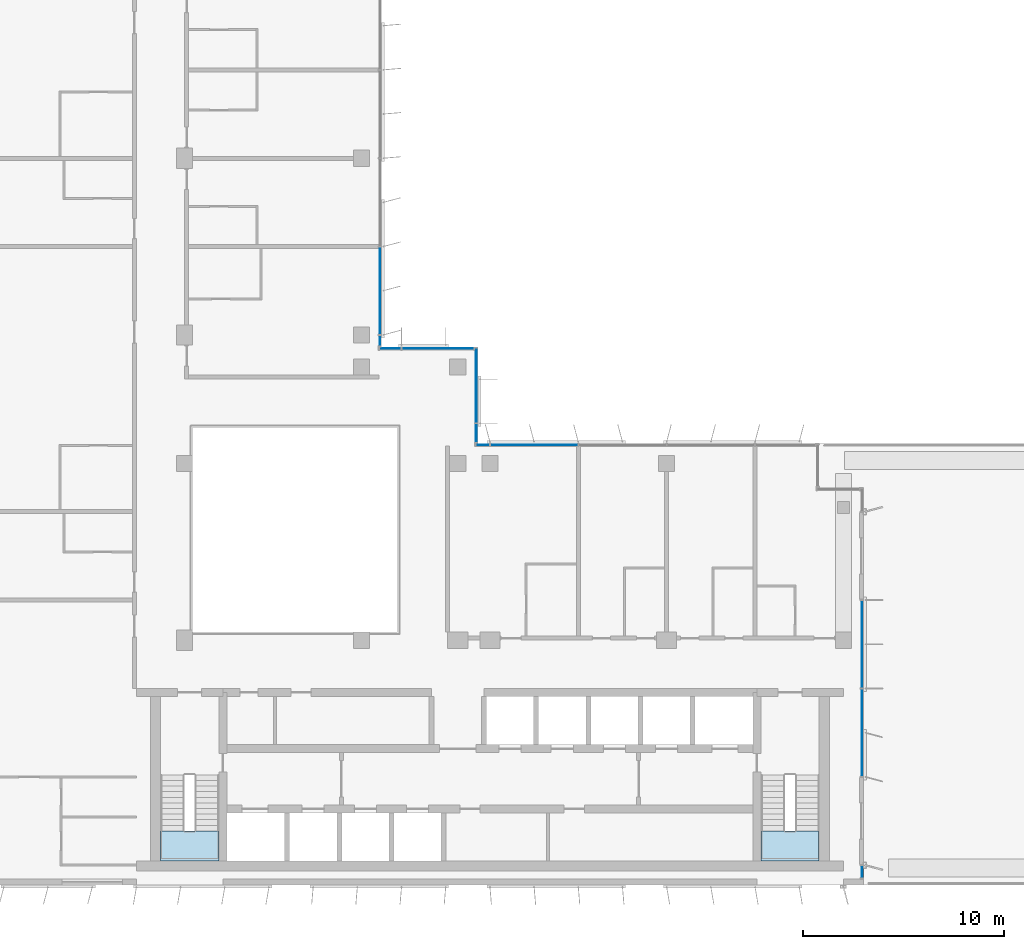
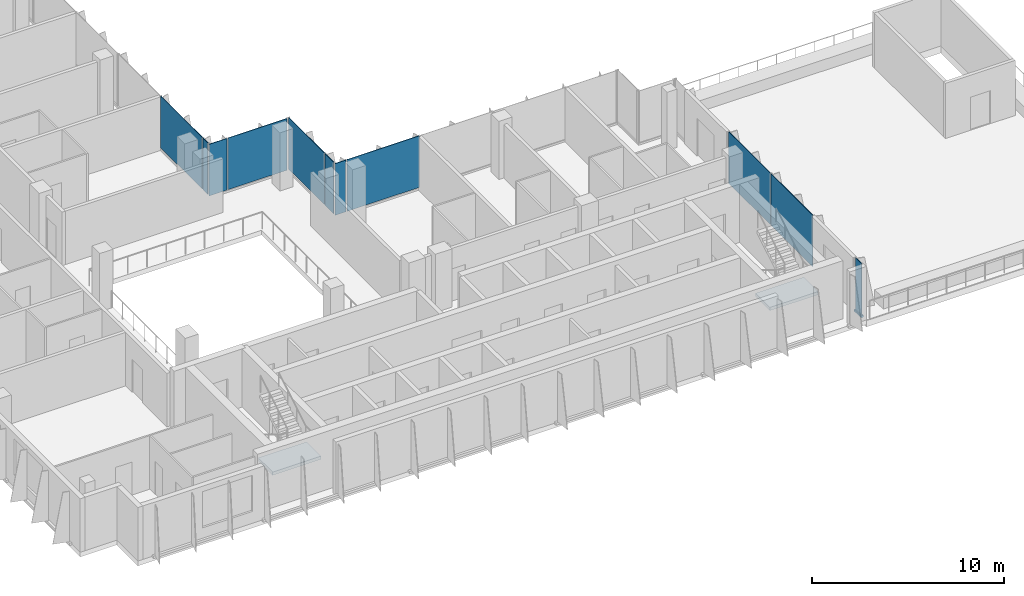
# One storey, part 7 of 17: 11 plates, 2 slabs, 1 member, 8 elements without a shape of their own.
"""IFC4 building model written with IfcOpenShell, lengths in metres."""

from ifc_helpers import new_model, si_unit, direction, frame, origin, origin_2d, place, context, subcontext, project, spatial, polyline, rectangle, outline, extrude, source, transform, mapped, material, layer, layer_set, material_profile, profile_set, type_object, element, aggregate, save


model = new_model("IFC4")

# Units and contexts
model_context = context("Model", 3, precision=1e-05, world=origin(), true_north=direction((0.0, 1.0)))
body_context = subcontext(model_context, "Body", "Model", "MODEL_VIEW")
ifc_project = project(units=[si_unit("LENGTHUNIT", "METRE"), si_unit("AREAUNIT", "SQUARE_METRE"), si_unit("VOLUMEUNIT", "CUBIC_METRE"), si_unit("PLANEANGLEUNIT", "RADIAN"), si_unit("MASSUNIT", "GRAM", prefix="KILO")], contexts=[model_context])

# Site, building, storey
site_placement = place(None, origin())
site = spatial("IfcSite", under=ifc_project, at=site_placement, CompositionType="ELEMENT")
building_placement = place(site_placement, origin())
building = spatial("IfcBuilding", under=site, at=building_placement, Name="Kemantara Hotel Tower", CompositionType="ELEMENT")
storey_placement = place(building_placement, frame((0.0, 0.0, 222.800048828125)))
storey = spatial("IfcBuildingStorey", under=building, at=storey_placement, Name="L55", CompositionType="ELEMENT", Elevation=222.800048828125)

# Curtain wall, member
ifc_material_1 = material(Name="Toughened tinted glass 32 mm", Category="glass")
curtain_wall_type_1 = type_object("IfcCurtainWallType", Name="TERRACE GLAZING WALL", PredefinedType="USERDEFINED", material=ifc_material_1)
curtain_wall_1_placement = place(storey_placement, origin())
curtain_wall_1 = element("IfcCurtainWall", 1, at=curtain_wall_1_placement, inside=storey, type_object=curtain_wall_type_1, Name="CW6 L55 T4-R09-1", ObjectType="TERRACE GLAZING WALL", PredefinedType="USERDEFINED")
ifc_material_2 = material(Name="Aluminium 6063-T6 bronze anodised", Category="aluminium")
ifc_material_profile = material_profile(ifc_material_2, rectangle(XDim=0.14990234375, YDim=0.1201171875, at=origin_2d()), Name="TERRACE GLAZING WALL TRANSOM")
ifc_profile_set = profile_set([ifc_material_profile], Name="Aluminium 6063-T6 bronze anodised")
member_type = type_object("IfcMemberType", Name="TERRACE GLAZING WALL TRANSOM", PredefinedType="USERDEFINED", material=ifc_profile_set)
member_placement = place(storey_placement, frame((45.925048828125, 0.300048828125, 0.06005859375), z_axis=(0.0, 1.0, 0.0), x_axis=(-1.0, 0.0, 0.0)))
member = element("IfcMember", 2, at=member_placement, type_object=member_type, Name="CW6 sill transom T4-R09-1", ObjectType="TRANSOM", PredefinedType="USERDEFINED", context=body_context, shape_type="SweptSolid", body=[
    extrude(rectangle(XDim=0.14990234375, YDim=0.1201171875, at=origin_2d()), origin(), (0.0, 0.0, 1.0), 0.699951171875),
])

# Stair, slab
ifc_material_3 = material(Name="Concrete fc 40 MPa", Category="concrete")
stair_type = type_object("IfcStairType", Name="Stair 1200 wide 22 risers of 168 x 280 mm", PredefinedType="HALF_TURN_STAIR", material=ifc_material_3)
stair_1_placement = place(storey_placement, origin())
stair_1 = element("IfcStair", 3, at=stair_1_placement, inside=storey, type_object=stair_type, Name="L55 Exit stair ST1", PredefinedType="HALF_TURN_STAIR")
ifc_layer_1 = layer(ifc_material_3, 0.199951171875)
ifc_layer_set_1 = layer_set([ifc_layer_1], Name="Concrete fc 40 MPa")
slab_type = type_object("IfcSlabType", Name="Stair landing 200 mm", PredefinedType="LANDING", material=ifc_layer_set_1)
slab_1_placement = place(storey_placement, frame((0.0, 0.0, 1.64990234375)))
slab_1 = element("IfcSlab", 4, at=slab_1_placement, type_object=slab_type, Name="ST1 landing 1", PredefinedType="LANDING", context=body_context, shape_type="SweptSolid", body=[
    extrude(outline(polyline([(11.0, 2.699951171875), (11.0, 1.199951171875), (13.89990234375, 1.199951171875), (13.89990234375, 2.699951171875), (11.0, 2.699951171875)])), origin(), (0.0, 0.0, 1.0), 0.199951171875),
])
aggregate(stair_1, [slab_1])

stair_2_placement = place(storey_placement, origin())
stair_2 = element("IfcStair", 5, at=stair_2_placement, inside=storey, type_object=stair_type, Name="L55 Exit stair ST2", PredefinedType="HALF_TURN_STAIR")
slab_2_placement = place(storey_placement, frame((0.0, 0.0, 1.64990234375)))
slab_2 = element("IfcSlab", 6, at=slab_2_placement, type_object=slab_type, Name="ST2 landing 1", PredefinedType="LANDING", context=body_context, shape_type="SweptSolid", body=[
    extrude(outline(polyline([(40.89990234375, 2.699951171875), (40.89990234375, 1.199951171875), (43.800048828125, 1.199951171875), (43.800048828125, 2.699951171875), (40.89990234375, 2.699951171875)])), origin(), (0.0, 0.0, 1.0), 0.199951171875),
])
aggregate(stair_2, [slab_2])

# Curtain wall, plate
ifc_material_4 = material(Name="Low-E tinted double insulated glass 36 mm", Category="glass")
curtain_wall_type_2 = type_object("IfcCurtainWallType", Name="TOWER CURTAIN WALL, FRONT FACES", PredefinedType="USERDEFINED", material=ifc_material_4)
curtain_wall_2_placement = place(storey_placement, origin())
curtain_wall_2 = element("IfcCurtainWall", 7, at=curtain_wall_2_placement, inside=storey, type_object=curtain_wall_type_2, Name="CW4 L55 T4-R12-1", ObjectType="TOWER CURTAIN WALL, FRONT FACES", PredefinedType="USERDEFINED")
ifc_layer_2 = layer(ifc_material_4, 0.035888671875)
ifc_layer_set_2 = layer_set([ifc_layer_2], Name="Low-E tinted double insulated glass 36 mm")
plate_type_1 = type_object("IfcPlateType", Name="TOWER CURTAIN WALL, FRONT FACES PANEL", PredefinedType="CURTAIN_PANEL", material=ifc_layer_set_2)
shared_shape_1 = source(origin(), body_context, "Body", "SweptSolid", [
    extrude(rectangle(XDim=4.340087890625, YDim=0.035888671875, at=origin_2d()), origin(), (0.0, 0.0, 1.0), 3.280029296875),
])
plate_1_placement = place(storey_placement, frame((29.60009765625, 21.925048828125, 0.1201171875), z_axis=(0.0, 0.0, 1.0), x_axis=(-1.0, 0.0, 0.0)))
plate_1 = element("IfcPlate", 8, at=plate_1_placement, type_object=plate_type_1, Name="CW4 glass panel T4-R12-1.4", PredefinedType="CURTAIN_PANEL", context=body_context, shape_type="MappedRepresentation", body=[
    mapped(shared_shape_1, transform((0.0, 0.0, 0.0))),
])

curtain_wall_3_placement = place(storey_placement, origin())
curtain_wall_3 = element("IfcCurtainWall", 9, at=curtain_wall_3_placement, inside=storey, type_object=curtain_wall_type_2, Name="CW4 L55 T4-R15-1", ObjectType="TOWER CURTAIN WALL, FRONT FACES", PredefinedType="USERDEFINED")
plate_2_placement = place(storey_placement, frame((21.925048828125, 29.60009765625, 0.1201171875), z_axis=(0.0, 0.0, 1.0), x_axis=(0.0, 1.0, 0.0)))
plate_2 = element("IfcPlate", 10, at=plate_2_placement, type_object=plate_type_1, Name="CW4 glass panel T4-R15-1.2", PredefinedType="CURTAIN_PANEL", context=body_context, shape_type="MappedRepresentation", body=[
    mapped(shared_shape_1, transform((0.0, 0.0, 0.0))),
])

# Curtain wall, plates
curtain_wall_4_placement = place(storey_placement, origin())
curtain_wall_4 = element("IfcCurtainWall", 11, at=curtain_wall_4_placement, inside=storey, type_object=curtain_wall_type_1, Name="CW6 L55 T4-R09-2", ObjectType="TERRACE GLAZING WALL", PredefinedType="USERDEFINED")
ifc_layer_3 = layer(ifc_material_1, 0.031982421875)
ifc_layer_set_3 = layer_set([ifc_layer_3], Name="Toughened tinted glass 32 mm")
plate_type_2 = type_object("IfcPlateType", Name="TERRACE GLAZING WALL PANEL", PredefinedType="CURTAIN_PANEL", material=ifc_layer_set_3)
shared_shape_2 = source(origin(), body_context, "Body", "SweptSolid", [
    extrude(rectangle(XDim=4.340087890625, YDim=0.031982421875, at=origin_2d()), origin(), (0.0, 0.0, 1.0), 3.280029296875),
])
plate_3_placement = place(storey_placement, frame((45.925048828125, 7.60009765625, 0.1201171875), z_axis=(0.0, 0.0, 1.0), x_axis=(0.0, 1.0, 0.0)))
plate_3 = element("IfcPlate", 12, at=plate_3_placement, type_object=plate_type_2, Name="CW6 glass panel T4-R09-2.1", PredefinedType="CURTAIN_PANEL", context=body_context, shape_type="MappedRepresentation", body=[
    mapped(shared_shape_2, transform((0.0, 0.0, 0.0))),
])
plate_4_placement = place(storey_placement, frame((45.925048828125, 12.0, 0.1201171875), z_axis=(0.0, 0.0, 1.0), x_axis=(0.0, 1.0, 0.0)))
plate_4 = element("IfcPlate", 13, at=plate_4_placement, type_object=plate_type_2, Name="CW6 glass panel T4-R09-2.2", PredefinedType="CURTAIN_PANEL", context=body_context, shape_type="MappedRepresentation", body=[
    mapped(shared_shape_2, transform((0.0, 0.0, 0.0))),
])
aggregate(curtain_wall_4, [plate_3, plate_4])

# Plate
shared_shape_3 = source(origin(), body_context, "Body", "SweptSolid", [
    extrude(rectangle(XDim=0.659912109375, YDim=0.035888671875, at=origin_2d()), origin(), (0.0, 0.0, 1.0), 3.280029296875),
])
plate_5_placement = place(storey_placement, frame((27.0400390625, 21.925048828125, 0.1201171875), z_axis=(0.0, 0.0, 1.0), x_axis=(-1.0, 0.0, 0.0)))
plate_5 = element("IfcPlate", 14, at=plate_5_placement, type_object=plate_type_1, Name="CW4 glass panel T4-R12-1.5", PredefinedType="CURTAIN_PANEL", context=body_context, shape_type="MappedRepresentation", body=[
    mapped(shared_shape_3, transform((0.0, 0.0, 0.0))),
])

aggregate(curtain_wall_2, [plate_1, plate_5])

shared_shape_4 = source(origin(), body_context, "Body", "SweptSolid", [
    extrude(rectangle(XDim=0.510009765625, YDim=0.035888671875, at=origin_2d()), origin(), (0.0, 0.0, 1.0), 3.280029296875),
])
plate_6_placement = place(storey_placement, frame((21.925048828125, 27.114990234375, 0.1201171875), z_axis=(0.0, 0.0, 1.0), x_axis=(0.0, 1.0, 0.0)))
plate_6 = element("IfcPlate", 15, at=plate_6_placement, type_object=plate_type_1, Name="CW4 glass panel T4-R15-1.1", PredefinedType="CURTAIN_PANEL", context=body_context, shape_type="MappedRepresentation", body=[
    mapped(shared_shape_4, transform((0.0, 0.0, 0.0))),
])

aggregate(curtain_wall_3, [plate_6, plate_2])

# Curtain wall, plates
curtain_wall_5_placement = place(storey_placement, origin())
curtain_wall_5 = element("IfcCurtainWall", 16, at=curtain_wall_5_placement, inside=storey, type_object=curtain_wall_type_2, Name="CW4 L55 T4-R13-1", ObjectType="TOWER CURTAIN WALL, FRONT FACES", PredefinedType="USERDEFINED")
shared_shape_5 = source(origin(), body_context, "Body", "SweptSolid", [
    extrude(rectangle(XDim=0.909912109375, YDim=0.035888671875, at=origin_2d()), origin(), (0.0, 0.0, 1.0), 3.280029296875),
])
plate_7_placement = place(storey_placement, frame((26.72509765625, 22.514892578125, 0.1201171875), z_axis=(0.0, 0.0, 1.0), x_axis=(0.0, 1.0, 0.0)))
plate_7 = element("IfcPlate", 17, at=plate_7_placement, type_object=plate_type_1, Name="CW4 glass panel T4-R13-1.1", PredefinedType="CURTAIN_PANEL", context=body_context, shape_type="MappedRepresentation", body=[
    mapped(shared_shape_5, transform((0.0, 0.0, 0.0))),
])
shared_shape_6 = source(origin(), body_context, "Body", "SweptSolid", [
    extrude(rectangle(XDim=3.7099609375, YDim=0.035888671875, at=origin_2d()), origin(), (0.0, 0.0, 1.0), 3.280029296875),
])
plate_8_placement = place(storey_placement, frame((26.72509765625, 24.885009765625, 0.1201171875), z_axis=(0.0, 0.0, 1.0), x_axis=(0.0, 1.0, 0.0)))
plate_8 = element("IfcPlate", 18, at=plate_8_placement, type_object=plate_type_1, Name="CW4 glass panel T4-R13-1.2", PredefinedType="CURTAIN_PANEL", context=body_context, shape_type="MappedRepresentation", body=[
    mapped(shared_shape_6, transform((0.0, 0.0, 0.0))),
])
aggregate(curtain_wall_5, [plate_7, plate_8])

curtain_wall_6_placement = place(storey_placement, origin())
curtain_wall_6 = element("IfcCurtainWall", 19, at=curtain_wall_6_placement, inside=storey, type_object=curtain_wall_type_2, Name="CW4 L55 T4-R14-1", ObjectType="TOWER CURTAIN WALL, FRONT FACES", PredefinedType="USERDEFINED")
shared_shape_7 = source(origin(), body_context, "Body", "SweptSolid", [
    extrude(rectangle(XDim=3.56005859375, YDim=0.035888671875, at=origin_2d()), origin(), (0.0, 0.0, 1.0), 3.280029296875),
])
plate_9_placement = place(storey_placement, frame((24.81005859375, 26.72509765625, 0.1201171875), z_axis=(0.0, 0.0, 1.0), x_axis=(-1.0, 0.0, 0.0)))
plate_9 = element("IfcPlate", 20, at=plate_9_placement, type_object=plate_type_1, Name="CW4 glass panel T4-R14-1.1", PredefinedType="CURTAIN_PANEL", context=body_context, shape_type="MappedRepresentation", body=[
    mapped(shared_shape_7, transform((0.0, 0.0, 0.0))),
])
shared_shape_8 = source(origin(), body_context, "Body", "SweptSolid", [
    extrude(rectangle(XDim=1.06005859375, YDim=0.035888671875, at=origin_2d()), origin(), (0.0, 0.0, 1.0), 3.280029296875),
])
plate_10_placement = place(storey_placement, frame((22.43994140625, 26.72509765625, 0.1201171875), z_axis=(0.0, 0.0, 1.0), x_axis=(-1.0, 0.0, 0.0)))
plate_10 = element("IfcPlate", 21, at=plate_10_placement, type_object=plate_type_1, Name="CW4 glass panel T4-R14-1.2", PredefinedType="CURTAIN_PANEL", context=body_context, shape_type="MappedRepresentation", body=[
    mapped(shared_shape_8, transform((0.0, 0.0, 0.0))),
])
aggregate(curtain_wall_6, [plate_9, plate_10])

# Plate
shared_shape_9 = source(origin(), body_context, "Body", "SweptSolid", [
    extrude(rectangle(XDim=0.610107421875, YDim=0.031982421875, at=origin_2d()), origin(), (0.0, 0.0, 1.0), 3.280029296875),
])
plate_11_placement = place(storey_placement, frame((45.925048828125, 0.6650390625, 0.1201171875), z_axis=(0.0, 0.0, 1.0), x_axis=(0.0, 1.0, 0.0)))
plate_11 = element("IfcPlate", 22, at=plate_11_placement, type_object=plate_type_2, Name="CW6 glass panel T4-R09-1.1", PredefinedType="CURTAIN_PANEL", context=body_context, shape_type="MappedRepresentation", body=[
    mapped(shared_shape_9, transform((0.0, 0.0, 0.0))),
])

aggregate(curtain_wall_1, [member, plate_11])

save(model, "model.ifc")
